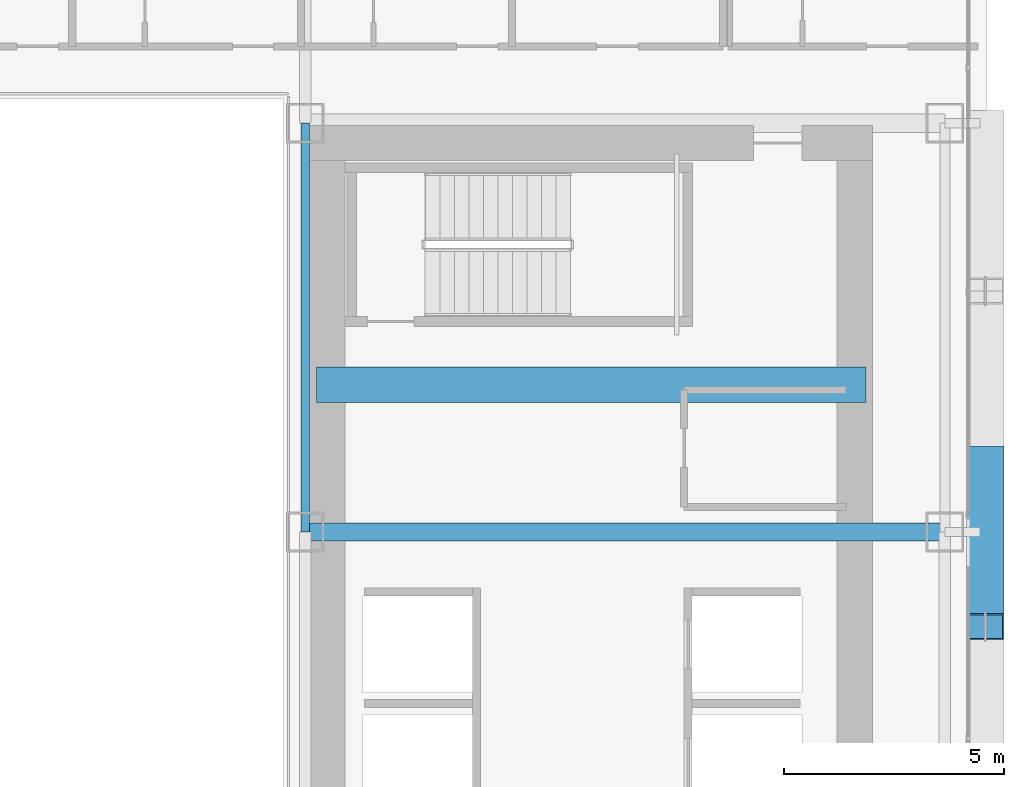
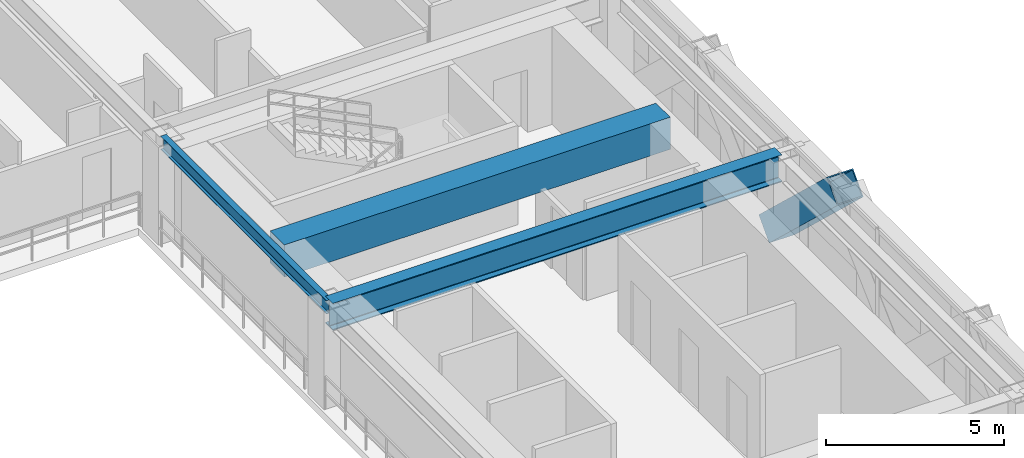
# One storey, part 14 of 35: 3 beams, 1 member.
"""IFC4 building model written with IfcOpenShell, lengths in metres."""

import ifcopenshell
import ifcopenshell.guid

model = None  # the IFC model being written
_history = None  # IfcOwnerHistory: only IFC2X3 demands one
_inside = {}  # id of a spatial element -> (the spatial element, [elements in it])
_under = {}  # id of a project, library or spatial element -> (it, [spatial elements below it])
_declared = {}  # id of a project -> (the project, [libraries it declares])
_typed = {}  # id of a type object -> (the type object, [elements of that type])
_made_of = {}  # id of a material, layer set ... -> (it, [elements and type objects made of it])


def new_model(schema):
    """Start an empty IFC model of exactly this schema.

    Asked for "IFC4X3", IfcOpenShell would pick the latest addendum, in which some entities
    have other attributes; the version numbers below select the first issue.
    IFC2X3 requires an IfcOwnerHistory on every rooted entity: one is made here for all.
    """
    global model, _history
    if schema == "IFC4X3":
        model = ifcopenshell.file(schema_version=(4, 3, 0, 0))
    else:
        model = ifcopenshell.file(schema=schema)
    _inside.clear()
    _under.clear()
    _declared.clear()
    _typed.clear()
    _made_of.clear()
    _history = None
    if model.schema == "IFC2X3":
        org = make("IfcOrganization", Name="unknown")
        user = make(
            "IfcPersonAndOrganization",
            ThePerson=make("IfcPerson", FamilyName="unknown"),
            TheOrganization=org,
        )
        app = make(
            "IfcApplication",
            ApplicationDeveloper=org,
            Version="unknown",
            ApplicationFullName="unknown",
            ApplicationIdentifier="unknown",
        )
        _history = make(
            "IfcOwnerHistory",
            OwningUser=user,
            OwningApplication=app,
            ChangeAction="ADDED",
            CreationDate=0,
        )
    return model


def make(cls, **values):
    """One entity of the class cls with the attributes given. An attribute that is None is left unset."""
    return model.create_entity(
        cls, **{name: value for name, value in values.items() if value is not None}
    )


def rooted(cls, **values):
    """An entity with a GlobalId (a new one), such as an element, a storey or a relation."""
    return make(cls, GlobalId=ifcopenshell.guid.new(), OwnerHistory=_history, **values)


def si_unit(unit_type, name, prefix=None):
    """IfcSIUnit, for example si_unit("LENGTHUNIT", "METRE", prefix="MILLI")."""
    return make("IfcSIUnit", UnitType=unit_type, Prefix=prefix, Name=name)


def assignment(units):
    """IfcUnitAssignment: the units of a project."""
    return None if units is None else make("IfcUnitAssignment", Units=units)


def point(xyz):
    """IfcCartesianPoint."""
    return None if xyz is None else make("IfcCartesianPoint", Coordinates=xyz)


def direction(xyz):
    """IfcDirection."""
    return None if xyz is None else make("IfcDirection", DirectionRatios=xyz)


def frame(location, z_axis=None, x_axis=None):
    """IfcAxis2Placement3D, a coordinate frame: its origin and axes. An axis left out is left unset."""
    return make(
        "IfcAxis2Placement3D",
        Location=point(location),
        Axis=direction(z_axis),
        RefDirection=direction(x_axis),
    )


def frame_2d(location, x_axis=None):
    """IfcAxis2Placement2D, a coordinate frame in the plane: its origin and x axis."""
    return make(
        "IfcAxis2Placement2D", Location=point(location), RefDirection=direction(x_axis)
    )


def origin():
    """The frame at (0, 0, 0) with its axes left unset."""
    return frame((0.0, 0.0, 0.0))


def origin_2d():
    """The frame at (0, 0) in the plane with its x axis left unset."""
    return frame_2d((0.0, 0.0))


def place(relative_to, where):
    """IfcLocalPlacement: puts the frame where relative to a parent placement (None: the world)."""
    return make(
        "IfcLocalPlacement", PlacementRelTo=relative_to, RelativePlacement=where
    )


def context(
    kind, dimensions, precision=None, world=None, true_north=None, identifier=None
):
    """IfcGeometricRepresentationContext, for example the 3D "Model" context."""
    return make(
        "IfcGeometricRepresentationContext",
        ContextIdentifier=identifier,
        ContextType=kind,
        CoordinateSpaceDimension=dimensions,
        Precision=precision,
        WorldCoordinateSystem=world,
        TrueNorth=true_north,
    )


def subcontext(parent, identifier, kind, view, scale=None):
    """IfcGeometricRepresentationSubContext, for example "Body" below "Model"."""
    return make(
        "IfcGeometricRepresentationSubContext",
        ContextIdentifier=identifier,
        ContextType=kind,
        ParentContext=parent,
        TargetScale=scale,
        TargetView=view,
    )


def project(units=None, contexts=None):
    """IfcProject with its units and contexts."""
    return rooted(
        "IfcProject",
        Name="project",
        RepresentationContexts=contexts,
        UnitsInContext=assignment(units),
    )


def spatial(cls, under=None, at=None, **own):
    """A site, building, storey or space (cls), placed at a placement, below another one or the project."""
    s = rooted(cls, ObjectPlacement=at, **own)
    if under is not None:
        _under.setdefault(under.id(), (under, []))[1].append(s)
    return s


def profile(cls, at=None, kind="AREA", **sizes):
    """A parametric profile (cls). Its sizes go by their IFC names, for example OverallWidth=200.0."""
    return make(cls, ProfileType=kind, Position=at, **sizes)


def rectangle(**sizes):
    """IfcRectangleProfileDef."""
    return profile("IfcRectangleProfileDef", **sizes)


def hollow_rectangle(**sizes):
    """IfcRectangleHollowProfileDef."""
    return profile("IfcRectangleHollowProfileDef", **sizes)


def i_section(**sizes):
    """IfcIShapeProfileDef."""
    return profile("IfcIShapeProfileDef", **sizes)


def extrude(swept, where, along, depth):
    """IfcExtrudedAreaSolid: the profile swept, set in the frame where, extruded along a direction by depth."""
    return make(
        "IfcExtrudedAreaSolid",
        SweptArea=swept,
        Position=where,
        ExtrudedDirection=direction(along),
        Depth=depth,
    )


def shape(context_of_items, identifier, shape_type, items):
    """IfcShapeRepresentation: the items that make up one representation, for example the "Body"."""
    return make(
        "IfcShapeRepresentation",
        ContextOfItems=context_of_items,
        RepresentationIdentifier=identifier,
        RepresentationType=shape_type,
        Items=items,
    )


def source(mapping_origin, context_of_items, identifier, shape_type, items):
    """IfcRepresentationMap: a shape defined once, which mapped items show again and again."""
    return make(
        "IfcRepresentationMap",
        MappingOrigin=mapping_origin,
        MappedRepresentation=shape(context_of_items, identifier, shape_type, items),
    )


def transform(
    local_origin,
    x_axis=None,
    y_axis=None,
    z_axis=None,
    scale=None,
    scale2=None,
    scale3=None,
    uniform=True,
):
    """IfcCartesianTransformationOperator3D, or its non-uniform kind. x_axis, y_axis, z_axis: its Axis1, 2, 3."""
    if uniform:
        return make(
            "IfcCartesianTransformationOperator3D",
            Axis1=direction(x_axis),
            Axis2=direction(y_axis),
            LocalOrigin=point(local_origin),
            Scale=scale,
            Axis3=direction(z_axis),
        )
    return make(
        "IfcCartesianTransformationOperator3DnonUniform",
        Axis1=direction(x_axis),
        Axis2=direction(y_axis),
        LocalOrigin=point(local_origin),
        Scale=scale,
        Axis3=direction(z_axis),
        Scale2=scale2,
        Scale3=scale3,
    )


def mapped(mapping_source, mapping_target):
    """IfcMappedItem: shows the shape of a source again, moved by a transform."""
    return make(
        "IfcMappedItem", MappingSource=mapping_source, MappingTarget=mapping_target
    )


def material(Name=None, Category=None):
    """IfcMaterial."""
    return make("IfcMaterial", Name=Name, Category=Category)


def material_profile(
    of_material, cross_section, Name=None, Category=None, Priority=None
):
    """IfcMaterialProfile: a cross section and its material."""
    return make(
        "IfcMaterialProfile",
        Name=Name,
        Material=of_material,
        Profile=cross_section,
        Priority=Priority,
        Category=Category,
    )


def profile_set(profiles, Name=None, composite=None):
    """IfcMaterialProfileSet."""
    return make(
        "IfcMaterialProfileSet",
        Name=Name,
        MaterialProfiles=profiles,
        CompositeProfile=composite,
    )


def made_of(thing, what):
    """Note that an element or type object is made of a material, layer set ...; save() writes the relation."""
    if what is not None:
        _made_of.setdefault(what.id(), (what, []))[1].append(thing)
    return thing


def type_object(cls, material=None, **own):
    """A type object (cls), such as IfcWallType, which elements share."""
    return made_of(rooted(cls, **own), material)


def element(
    cls,
    number,
    at=None,
    inside=None,
    cuts=None,
    type_object=None,
    material=None,
    context=None,
    identifier="Body",
    shape_type=None,
    held_by="IfcProductDefinitionShape",
    body=None,
    shapes=None,
    **own,
):
    """One element of the class cls, such as IfcWall. Its Tag is "e" and its number.

    at: its placement. inside: the storey or other place that contains it. cuts: it is an
    opening in that element (IfcRelVoidsElement). A single representation is given by context,
    identifier, shape_type and body (its items); several are given by shapes. held_by: the class
    of the entity that holds the representations. save() writes the other relations.
    """
    e = rooted(cls, Tag="e%d" % number, ObjectPlacement=at, **own)
    if body is not None:
        shapes = [shape(context, identifier, shape_type, body)]
    if shapes is not None:
        e.Representation = make(held_by, Representations=shapes)
    if inside is not None:
        _inside.setdefault(inside.id(), (inside, []))[1].append(e)
    if cuts is not None:
        rooted(
            "IfcRelVoidsElement", RelatingBuildingElement=cuts, RelatedOpeningElement=e
        )
    if type_object is not None:
        _typed.setdefault(type_object.id(), (type_object, []))[1].append(e)
    return made_of(e, material)


def aggregate(whole, parts):
    """IfcRelAggregates: a whole, such as a stair, and the parts it consists of."""
    return rooted("IfcRelAggregates", RelatingObject=whole, RelatedObjects=parts)


def save(model, path):
    """Write the relations noted so far, then the file.

    IfcRelAggregates (storeys below a building ...), IfcRelContainedInSpatialStructure (elements
    in a storey), IfcRelDefinesByType, IfcRelAssociatesMaterial and IfcRelDeclares: one each for
    every whole, place, type object, material and project.
    """
    for whole, parts in _under.values():
        aggregate(whole, parts)
    for where, things in _inside.values():
        rooted(
            "IfcRelContainedInSpatialStructure",
            RelatedElements=things,
            RelatingStructure=where,
        )
    for kind, things in _typed.values():
        rooted("IfcRelDefinesByType", RelatedObjects=things, RelatingType=kind)
    for what, things in _made_of.values():
        rooted("IfcRelAssociatesMaterial", RelatedObjects=things, RelatingMaterial=what)
    for by, libraries in _declared.values():
        rooted("IfcRelDeclares", RelatingContext=by, RelatedDefinitions=libraries)
    model.write(path)


model = new_model("IFC4")

# Units and contexts
model_context = context("Model", 3, precision=1e-05, world=origin(), true_north=direction((0.0, 1.0)))
body_context = subcontext(model_context, "Body", "Model", "MODEL_VIEW")
ifc_project = project(units=[si_unit("LENGTHUNIT", "METRE"), si_unit("AREAUNIT", "SQUARE_METRE"), si_unit("VOLUMEUNIT", "CUBIC_METRE"), si_unit("PLANEANGLEUNIT", "RADIAN"), si_unit("MASSUNIT", "GRAM", prefix="KILO")], contexts=[model_context])

# Site, building, storey
site_placement = place(None, origin())
site = spatial("IfcSite", under=ifc_project, at=site_placement, CompositionType="ELEMENT")
building_placement = place(site_placement, origin())
building = spatial("IfcBuilding", under=site, at=building_placement, Name="Ocotamira Hotel", CompositionType="ELEMENT")
storey_placement = place(building_placement, frame((0.0, 0.0, 70.800048828125)))
storey = spatial("IfcBuildingStorey", under=building, at=storey_placement, Name="L17", CompositionType="ELEMENT", Elevation=70.800048828125)

# Beams
ifc_material_1 = material(Name="Concrete C60/75", Category="concrete")
ifc_material_profile_1 = material_profile(ifc_material_1, rectangle(XDim=0.800048828125, YDim=1.10009765625, at=origin_2d()), Name="RC800X1100")
ifc_profile_set_1 = profile_set([ifc_material_profile_1], Name="Concrete C60/75")
beam_type_1 = type_object("IfcBeamType", Name="BM-LINK-RC800", PredefinedType="LINTEL", material=ifc_profile_set_1)
shared_shape_1 = source(origin(), body_context, "Body", "SweptSolid", [
    extrude(rectangle(XDim=0.800048828125, YDim=1.10009765625, at=origin_2d()), origin(), (0.0, 0.0, 1.0), 12.5),
])
beam_1_placement = place(storey_placement, frame((40.75, 31.5, 2.800048828125), z_axis=(1.0, 0.0, 0.0), x_axis=(0.0, 1.0, 0.0)))
element("IfcBeam", 1, at=beam_1_placement, inside=storey, type_object=beam_type_1, Name="L17 East Core Coupling Beam", PredefinedType="LINTEL", context=body_context, shape_type="MappedRepresentation", body=[
    mapped(shared_shape_1, transform((0.0, 0.0, 0.0), scale=1.0)),
])
ifc_material_2 = material(Name="Steel ASTM A992 Grade 50", Category="steel")
ifc_material_profile_2 = material_profile(ifc_material_2, i_section(OverallWidth=0.41796875, OverallDepth=0.927001953125, WebThickness=0.019287109375, FlangeThickness=0.031982421875, FilletRadius=0.02392578125, at=origin_2d()), Name="W36X231")
ifc_profile_set_2 = profile_set([ifc_material_profile_2], Name="Steel ASTM A992 Grade 50")
beam_type_2 = type_object("IfcBeamType", Name="BM-GIRD-W36X231", PredefinedType="BEAM", material=ifc_profile_set_2)
shared_shape_2 = source(origin(), body_context, "Body", "SweptSolid", [
    extrude(i_section(OverallWidth=0.41796875, OverallDepth=0.927001953125, WebThickness=0.019287109375, FlangeThickness=0.031982421875, FilletRadius=0.02392578125, at=origin_2d()), origin(), (0.0, 0.0, 1.0), 14.550048828125),
])
beam_2_placement = place(storey_placement, frame((40.5, 28.14990234375, 2.886474609375), z_axis=(1.0, 0.0, 0.0), x_axis=(0.0, 1.0, 0.0)))
element("IfcBeam", 2, at=beam_2_placement, inside=storey, type_object=beam_type_2, Name="L17 Girder Y28.15 X40.5-55.05", PredefinedType="BEAM", context=body_context, shape_type="MappedRepresentation", body=[
    mapped(shared_shape_2, transform((0.0, 0.0, 0.0), scale=1.0)),
])
ifc_material_profile_3 = material_profile(ifc_material_2, i_section(OverallWidth=0.18994140625, OverallDepth=0.45703125, WebThickness=0.009033203125, FlangeThickness=0.014404296875, FilletRadius=0.010009765625, at=origin_2d()), Name="W18X50")
ifc_profile_set_3 = profile_set([ifc_material_profile_3], Name="Steel ASTM A992 Grade 50")
beam_type_3 = type_object("IfcBeamType", Name="BM-SEC-W18X50", PredefinedType="JOIST", material=ifc_profile_set_3)
shared_shape_3 = source(origin(), body_context, "Body", "SweptSolid", [
    extrude(i_section(OverallWidth=0.18994140625, OverallDepth=0.45703125, WebThickness=0.009033203125, FlangeThickness=0.014404296875, FilletRadius=0.010009765625, at=origin_2d()), origin(), (0.0, 0.0, 1.0), 9.300048828125),
])
beam_3_placement = place(storey_placement, frame((40.5, 28.14990234375, 3.121337890625), z_axis=(0.0, 1.0, 0.0), x_axis=(-1.0, 0.0, 0.0)))
element("IfcBeam", 3, at=beam_3_placement, inside=storey, type_object=beam_type_3, Name="L17 Beam X40.5 Y28.15-37.45", PredefinedType="JOIST", context=body_context, shape_type="MappedRepresentation", body=[
    mapped(shared_shape_3, transform((0.0, 0.0, 0.0), scale=1.0)),
])

# Member
ifc_material_3 = material(Name="Pale-metal coated steel ASTM A913 Grade 65", Category="steel")
ifc_material_profile_4 = material_profile(ifc_material_3, hollow_rectangle(XDim=0.85009765625, YDim=0.85009765625, WallThickness=0.035888671875, at=origin_2d()), Name="BOX850X850X36")
ifc_profile_set_4 = profile_set([ifc_material_profile_4], Name="Pale-metal coated steel ASTM A913 Grade 65")
member_type = type_object("IfcMemberType", Name="MEM-EXO-BOX850", PredefinedType="BRACE", material=ifc_profile_set_4)
shared_shape_4 = source(origin(), body_context, "Body", "SweptSolid", [
    extrude(hollow_rectangle(XDim=0.85009765625, YDim=0.85009765625, WallThickness=0.035888671875, at=origin_2d()), origin(), (0.0, 0.0, 1.0), 5.24658203125),
])
member_placement = place(storey_placement, frame((55.969970703125, 29.816650390625, -0.5), z_axis=(0.0, -0.72746596067, 0.686143772154), x_axis=(1.0, 0.0, 0.0)))
element("IfcMember", 4, at=member_placement, inside=storey, type_object=member_type, Name="L17 Exoskeleton Diagrid E1.2", PredefinedType="BRACE", context=body_context, shape_type="MappedRepresentation", body=[
    mapped(shared_shape_4, transform((0.0, 0.0, 0.0), scale=1.0)),
])

save(model, "model.ifc")
